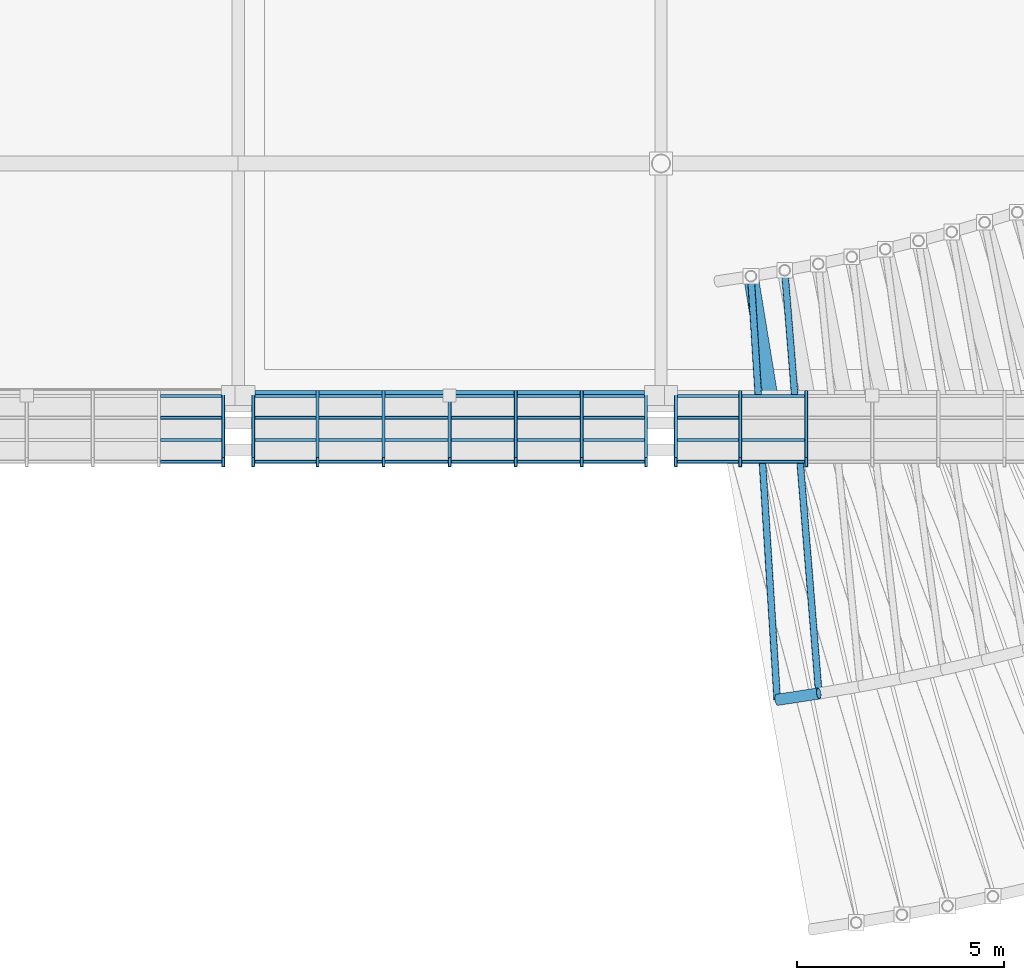
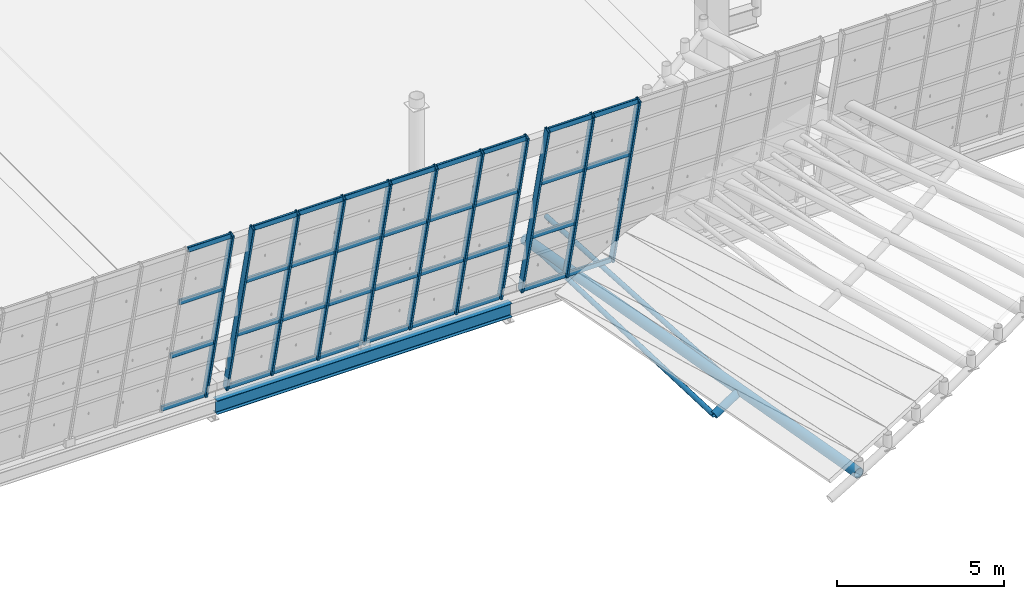
# One storey, part 48 of 157: 50 members, 1 beam, 3 elements without a shape of their own.
"""IFC4 building model written with IfcOpenShell, lengths in metres."""

from ifc_helpers import new_model, si_unit, direction, frame, origin, origin_2d, place, context, subcontext, project, spatial, hollow_rectangle, hollow_circle, i_section, extrude, material, material_profile, profile_set, type_object, element, aggregate, save


model = new_model("IFC4")

# Units and contexts
model_context = context("Model", 3, precision=1e-05, world=origin(), true_north=direction((0.0, 1.0)))
body_context = subcontext(model_context, "Body", "Model", "MODEL_VIEW")
ifc_project = project(units=[si_unit("LENGTHUNIT", "METRE"), si_unit("AREAUNIT", "SQUARE_METRE"), si_unit("VOLUMEUNIT", "CUBIC_METRE"), si_unit("PLANEANGLEUNIT", "RADIAN"), si_unit("MASSUNIT", "GRAM", prefix="KILO")], contexts=[model_context])

# Site, building, storey
site_placement = place(None, origin())
site = spatial("IfcSite", under=ifc_project, at=site_placement, CompositionType="ELEMENT")
building_placement = place(site_placement, origin())
building = spatial("IfcBuilding", under=site, at=building_placement, Name="Brelvane Convention Centre", CompositionType="ELEMENT")
storey_placement = place(building_placement, frame((0.0, 0.0, 10.800048828125)))
storey = spatial("IfcBuildingStorey", under=building, at=storey_placement, Name="L02", CompositionType="ELEMENT", Elevation=10.800048828125)

# Curtain wall, member
ifc_material_1 = material(Name="Anodised Aluminium Alloy 6063-T6", Category="aluminium")
curtain_wall_type = type_object("IfcCurtainWallType", Name="Curtain Wall CW-HULL-S", PredefinedType="USERDEFINED", material=ifc_material_1)
curtain_wall_1_placement = place(storey_placement, origin())
curtain_wall_1 = element("IfcCurtainWall", 1, at=curtain_wall_1_placement, inside=storey, type_object=curtain_wall_type, Name="Curtain Wall CW-HULL-S L02-HULL-S-L02-14", ObjectType="UNITISED", PredefinedType="USERDEFINED")
ifc_material_2 = material(Name="Anodised Aluminium Alloy 6063-T6", Category="aluminium")
ifc_material_profile_1 = material_profile(ifc_material_2, hollow_rectangle(XDim=0.080078125, YDim=0.239990234375, WallThickness=0.006103515625, InnerFilletRadius=0.006103515625, OuterFilletRadius=0.011962890625, at=origin_2d()), Name="ALU-M 240x80x6.0")
ifc_profile_set_1 = profile_set([ifc_material_profile_1], Name="Anodised Aluminium Alloy 6063-T6")
member_type_1 = type_object("IfcMemberType", Name="Curtain Mullion CW-M1", PredefinedType="MULLION", material=ifc_profile_set_1)
member_1_placement = place(storey_placement, frame((142.43994140625, 13.60009765625, 0.0), z_axis=(0.0, -0.228360410362, 0.973576665178), x_axis=(1.0, 0.0, 0.0)))
member_1 = element("IfcMember", 2, at=member_1_placement, type_object=member_type_1, Name="CW-HULL-S mullion 7", PredefinedType="MULLION", context=body_context, shape_type="SweptSolid", body=[
    extrude(hollow_rectangle(XDim=0.080078125, YDim=0.239990234375, WallThickness=0.006103515625, InnerFilletRadius=0.006103515625, OuterFilletRadius=0.011962890625, at=origin_2d()), origin(), (0.0, 0.0, 1.0), 7.03564453125),
])

# Curtain wall, members
curtain_wall_2_placement = place(storey_placement, origin())
curtain_wall_2 = element("IfcCurtainWall", 3, at=curtain_wall_2_placement, inside=storey, type_object=curtain_wall_type, Name="Curtain Wall CW-HULL-S L02-HULL-S-L02-15", ObjectType="UNITISED", PredefinedType="USERDEFINED")
member_2_placement = place(storey_placement, frame((143.159912109375, 13.60009765625, 0.0), z_axis=(0.0, -0.228360410362, 0.973576665178), x_axis=(1.0, 0.0, 0.0)))
member_2 = element("IfcMember", 4, at=member_2_placement, type_object=member_type_1, Name="CW-HULL-S mullion 1", PredefinedType="MULLION", context=body_context, shape_type="SweptSolid", body=[
    extrude(hollow_rectangle(XDim=0.080078125, YDim=0.239990234375, WallThickness=0.006103515625, InnerFilletRadius=0.006103515625, OuterFilletRadius=0.011962890625, at=origin_2d()), origin(), (0.0, 0.0, 1.0), 7.03564453125),
])
member_3_placement = place(storey_placement, frame((144.71337890625, 13.60009765625, 0.0), z_axis=(0.0, -0.228360410362, 0.973576665178), x_axis=(1.0, 0.0, 0.0)))
member_3 = element("IfcMember", 5, at=member_3_placement, type_object=member_type_1, Name="CW-HULL-S mullion 2", PredefinedType="MULLION", context=body_context, shape_type="SweptSolid", body=[
    extrude(hollow_rectangle(XDim=0.080078125, YDim=0.239990234375, WallThickness=0.006103515625, InnerFilletRadius=0.006103515625, OuterFilletRadius=0.011962890625, at=origin_2d()), origin(), (0.0, 0.0, 1.0), 7.03564453125),
])
member_4_placement = place(storey_placement, frame((146.306640625, 13.60009765625, 0.0), z_axis=(0.0, -0.228360410362, 0.973576665178), x_axis=(1.0, 0.0, 0.0)))
member_4 = element("IfcMember", 6, at=member_4_placement, type_object=member_type_1, Name="CW-HULL-S mullion 3", PredefinedType="MULLION", context=body_context, shape_type="SweptSolid", body=[
    extrude(hollow_rectangle(XDim=0.080078125, YDim=0.239990234375, WallThickness=0.006103515625, InnerFilletRadius=0.006103515625, OuterFilletRadius=0.011962890625, at=origin_2d()), origin(), (0.0, 0.0, 1.0), 7.03564453125),
])
member_5_placement = place(storey_placement, frame((147.89990234375, 13.60009765625, 0.0), z_axis=(0.0, -0.228360410362, 0.973576665178), x_axis=(1.0, 0.0, 0.0)))
member_5 = element("IfcMember", 7, at=member_5_placement, type_object=member_type_1, Name="CW-HULL-S mullion 4", PredefinedType="MULLION", context=body_context, shape_type="SweptSolid", body=[
    extrude(hollow_rectangle(XDim=0.080078125, YDim=0.239990234375, WallThickness=0.006103515625, InnerFilletRadius=0.006103515625, OuterFilletRadius=0.011962890625, at=origin_2d()), origin(), (0.0, 0.0, 1.0), 7.03564453125),
])
member_6_placement = place(storey_placement, frame((149.493408203125, 13.60009765625, 0.0), z_axis=(0.0, -0.228360410362, 0.973576665178), x_axis=(1.0, 0.0, 0.0)))
member_6 = element("IfcMember", 8, at=member_6_placement, type_object=member_type_1, Name="CW-HULL-S mullion 5", PredefinedType="MULLION", context=body_context, shape_type="SweptSolid", body=[
    extrude(hollow_rectangle(XDim=0.080078125, YDim=0.239990234375, WallThickness=0.006103515625, InnerFilletRadius=0.006103515625, OuterFilletRadius=0.011962890625, at=origin_2d()), origin(), (0.0, 0.0, 1.0), 7.03564453125),
])
member_7_placement = place(storey_placement, frame((151.086669921875, 13.60009765625, 0.0), z_axis=(0.0, -0.228360410362, 0.973576665178), x_axis=(1.0, 0.0, 0.0)))
member_7 = element("IfcMember", 9, at=member_7_placement, type_object=member_type_1, Name="CW-HULL-S mullion 6", PredefinedType="MULLION", context=body_context, shape_type="SweptSolid", body=[
    extrude(hollow_rectangle(XDim=0.080078125, YDim=0.239990234375, WallThickness=0.006103515625, InnerFilletRadius=0.006103515625, OuterFilletRadius=0.011962890625, at=origin_2d()), origin(), (0.0, 0.0, 1.0), 7.03564453125),
])
member_8_placement = place(storey_placement, frame((152.639892578125, 13.60009765625, 0.0), z_axis=(0.0, -0.228360410362, 0.973576665178), x_axis=(1.0, 0.0, 0.0)))
member_8 = element("IfcMember", 10, at=member_8_placement, type_object=member_type_1, Name="CW-HULL-S mullion 7", PredefinedType="MULLION", context=body_context, shape_type="SweptSolid", body=[
    extrude(hollow_rectangle(XDim=0.080078125, YDim=0.239990234375, WallThickness=0.006103515625, InnerFilletRadius=0.006103515625, OuterFilletRadius=0.011962890625, at=origin_2d()), origin(), (0.0, 0.0, 1.0), 7.03564453125),
])

curtain_wall_3_placement = place(storey_placement, origin())
curtain_wall_3 = element("IfcCurtainWall", 11, at=curtain_wall_3_placement, inside=storey, type_object=curtain_wall_type, Name="Curtain Wall CW-HULL-S L02-HULL-S-L02-16", ObjectType="UNITISED", PredefinedType="USERDEFINED")
member_9_placement = place(storey_placement, frame((153.360107421875, 13.60009765625, 0.0), z_axis=(0.0, -0.228360410362, 0.973576665178), x_axis=(1.0, 0.0, 0.0)))
member_9 = element("IfcMember", 12, at=member_9_placement, type_object=member_type_1, Name="CW-HULL-S mullion 1", PredefinedType="MULLION", context=body_context, shape_type="SweptSolid", body=[
    extrude(hollow_rectangle(XDim=0.080078125, YDim=0.239990234375, WallThickness=0.006103515625, InnerFilletRadius=0.006103515625, OuterFilletRadius=0.011962890625, at=origin_2d()), origin(), (0.0, 0.0, 1.0), 7.03564453125),
])
member_10_placement = place(storey_placement, frame((154.913330078125, 13.60009765625, 0.0), z_axis=(0.0, -0.228360410362, 0.973576665178), x_axis=(1.0, 0.0, 0.0)))
member_10 = element("IfcMember", 13, at=member_10_placement, type_object=member_type_1, Name="CW-HULL-S mullion 2", PredefinedType="MULLION", context=body_context, shape_type="SweptSolid", body=[
    extrude(hollow_rectangle(XDim=0.080078125, YDim=0.239990234375, WallThickness=0.006103515625, InnerFilletRadius=0.006103515625, OuterFilletRadius=0.011962890625, at=origin_2d()), origin(), (0.0, 0.0, 1.0), 7.03564453125),
])
member_11_placement = place(storey_placement, frame((156.506591796875, 13.60009765625, 0.0), z_axis=(0.0, -0.228360410362, 0.973576665178), x_axis=(1.0, 0.0, 0.0)))
member_11 = element("IfcMember", 14, at=member_11_placement, type_object=member_type_1, Name="CW-HULL-S mullion 3", PredefinedType="MULLION", context=body_context, shape_type="SweptSolid", body=[
    extrude(hollow_rectangle(XDim=0.080078125, YDim=0.239990234375, WallThickness=0.006103515625, InnerFilletRadius=0.006103515625, OuterFilletRadius=0.011962890625, at=origin_2d()), origin(), (0.0, 0.0, 1.0), 7.03564453125),
])

# Member
ifc_material_3 = material(Name="Anodised Aluminium Alloy 6063-T6", Category="aluminium")
ifc_material_profile_2 = material_profile(ifc_material_3, hollow_rectangle(XDim=0.080078125, YDim=0.179931640625, WallThickness=0.0048828125, InnerFilletRadius=0.0048828125, OuterFilletRadius=0.010009765625, at=origin_2d()), Name="ALU-T 180x80x5.0")
ifc_profile_set_2 = profile_set([ifc_material_profile_2], Name="Anodised Aluminium Alloy 6063-T6")
member_type_2 = type_object("IfcMemberType", Name="Curtain Transom CW-T1", PredefinedType="USERDEFINED", material=ifc_profile_set_2)
member_12_placement = place(storey_placement, frame((140.9267578125, 13.590576171875, 0.0400390625), z_axis=(1.0, 0.0, 0.0), x_axis=(0.0, 1.0, 0.0)))
member_12 = element("IfcMember", 15, at=member_12_placement, type_object=member_type_2, Name="CW-HULL-S transom 6.1", ObjectType="TRANSOM", PredefinedType="USERDEFINED", context=body_context, shape_type="SweptSolid", body=[
    extrude(hollow_rectangle(XDim=0.080078125, YDim=0.179931640625, WallThickness=0.0048828125, InnerFilletRadius=0.0048828125, OuterFilletRadius=0.010009765625, at=origin_2d()), origin(), (0.0, 0.0, 1.0), 1.47314453125),
])

member_13_placement = place(storey_placement, frame((140.9267578125, 13.064453125, 2.283203125), z_axis=(1.0, 0.0, 0.0), x_axis=(0.0, 1.0, 0.0)))
member_13 = element("IfcMember", 16, at=member_13_placement, type_object=member_type_2, Name="CW-HULL-S transom 6.2", ObjectType="TRANSOM", PredefinedType="USERDEFINED", context=body_context, shape_type="SweptSolid", body=[
    extrude(hollow_rectangle(XDim=0.080078125, YDim=0.179931640625, WallThickness=0.0048828125, InnerFilletRadius=0.0048828125, OuterFilletRadius=0.010009765625, at=origin_2d()), origin(), (0.0, 0.0, 1.0), 1.47314453125),
])

member_14_placement = place(storey_placement, frame((140.9267578125, 12.52880859375, 4.566650390625), z_axis=(1.0, 0.0, 0.0), x_axis=(0.0, 1.0, 0.0)))
member_14 = element("IfcMember", 17, at=member_14_placement, type_object=member_type_2, Name="CW-HULL-S transom 6.3", ObjectType="TRANSOM", PredefinedType="USERDEFINED", context=body_context, shape_type="SweptSolid", body=[
    extrude(hollow_rectangle(XDim=0.080078125, YDim=0.179931640625, WallThickness=0.0048828125, InnerFilletRadius=0.0048828125, OuterFilletRadius=0.010009765625, at=origin_2d()), origin(), (0.0, 0.0, 1.0), 1.47314453125),
])

member_15_placement = place(storey_placement, frame((140.9267578125, 12.002685546875, 6.81005859375), z_axis=(1.0, 0.0, 0.0), x_axis=(0.0, 1.0, 0.0)))
member_15 = element("IfcMember", 18, at=member_15_placement, type_object=member_type_2, Name="CW-HULL-S transom 6.4", ObjectType="TRANSOM", PredefinedType="USERDEFINED", context=body_context, shape_type="SweptSolid", body=[
    extrude(hollow_rectangle(XDim=0.080078125, YDim=0.179931640625, WallThickness=0.0048828125, InnerFilletRadius=0.0048828125, OuterFilletRadius=0.010009765625, at=origin_2d()), origin(), (0.0, 0.0, 1.0), 1.47314453125),
])

aggregate(curtain_wall_1, [member_1, member_12, member_13, member_14, member_15])

member_16_placement = place(storey_placement, frame((143.199951171875, 13.590576171875, 0.0400390625), z_axis=(1.0, 0.0, 0.0), x_axis=(0.0, 1.0, 0.0)))
member_16 = element("IfcMember", 19, at=member_16_placement, type_object=member_type_2, Name="CW-HULL-S transom 1.1", ObjectType="TRANSOM", PredefinedType="USERDEFINED", context=body_context, shape_type="SweptSolid", body=[
    extrude(hollow_rectangle(XDim=0.080078125, YDim=0.179931640625, WallThickness=0.0048828125, InnerFilletRadius=0.0048828125, OuterFilletRadius=0.010009765625, at=origin_2d()), origin(), (0.0, 0.0, 1.0), 1.473388671875),
])

member_17_placement = place(storey_placement, frame((143.199951171875, 13.064453125, 2.283203125), z_axis=(1.0, 0.0, 0.0), x_axis=(0.0, 1.0, 0.0)))
member_17 = element("IfcMember", 20, at=member_17_placement, type_object=member_type_2, Name="CW-HULL-S transom 1.2", ObjectType="TRANSOM", PredefinedType="USERDEFINED", context=body_context, shape_type="SweptSolid", body=[
    extrude(hollow_rectangle(XDim=0.080078125, YDim=0.179931640625, WallThickness=0.0048828125, InnerFilletRadius=0.0048828125, OuterFilletRadius=0.010009765625, at=origin_2d()), origin(), (0.0, 0.0, 1.0), 1.473388671875),
])

member_18_placement = place(storey_placement, frame((143.199951171875, 12.52880859375, 4.566650390625), z_axis=(1.0, 0.0, 0.0), x_axis=(0.0, 1.0, 0.0)))
member_18 = element("IfcMember", 21, at=member_18_placement, type_object=member_type_2, Name="CW-HULL-S transom 1.3", ObjectType="TRANSOM", PredefinedType="USERDEFINED", context=body_context, shape_type="SweptSolid", body=[
    extrude(hollow_rectangle(XDim=0.080078125, YDim=0.179931640625, WallThickness=0.0048828125, InnerFilletRadius=0.0048828125, OuterFilletRadius=0.010009765625, at=origin_2d()), origin(), (0.0, 0.0, 1.0), 1.473388671875),
])

member_19_placement = place(storey_placement, frame((143.199951171875, 12.002685546875, 6.81005859375), z_axis=(1.0, 0.0, 0.0), x_axis=(0.0, 1.0, 0.0)))
member_19 = element("IfcMember", 22, at=member_19_placement, type_object=member_type_2, Name="CW-HULL-S transom 1.4", ObjectType="TRANSOM", PredefinedType="USERDEFINED", context=body_context, shape_type="SweptSolid", body=[
    extrude(hollow_rectangle(XDim=0.080078125, YDim=0.179931640625, WallThickness=0.0048828125, InnerFilletRadius=0.0048828125, OuterFilletRadius=0.010009765625, at=origin_2d()), origin(), (0.0, 0.0, 1.0), 1.473388671875),
])

member_20_placement = place(storey_placement, frame((144.75341796875, 13.590576171875, 0.0400390625), z_axis=(1.0, 0.0, 0.0), x_axis=(0.0, 1.0, 0.0)))
member_20 = element("IfcMember", 23, at=member_20_placement, type_object=member_type_2, Name="CW-HULL-S transom 2.1", ObjectType="TRANSOM", PredefinedType="USERDEFINED", context=body_context, shape_type="SweptSolid", body=[
    extrude(hollow_rectangle(XDim=0.080078125, YDim=0.179931640625, WallThickness=0.0048828125, InnerFilletRadius=0.0048828125, OuterFilletRadius=0.010009765625, at=origin_2d()), origin(), (0.0, 0.0, 1.0), 1.51318359375),
])

member_21_placement = place(storey_placement, frame((144.75341796875, 13.064453125, 2.283203125), z_axis=(1.0, 0.0, 0.0), x_axis=(0.0, 1.0, 0.0)))
member_21 = element("IfcMember", 24, at=member_21_placement, type_object=member_type_2, Name="CW-HULL-S transom 2.2", ObjectType="TRANSOM", PredefinedType="USERDEFINED", context=body_context, shape_type="SweptSolid", body=[
    extrude(hollow_rectangle(XDim=0.080078125, YDim=0.179931640625, WallThickness=0.0048828125, InnerFilletRadius=0.0048828125, OuterFilletRadius=0.010009765625, at=origin_2d()), origin(), (0.0, 0.0, 1.0), 1.51318359375),
])

member_22_placement = place(storey_placement, frame((144.75341796875, 12.52880859375, 4.566650390625), z_axis=(1.0, 0.0, 0.0), x_axis=(0.0, 1.0, 0.0)))
member_22 = element("IfcMember", 25, at=member_22_placement, type_object=member_type_2, Name="CW-HULL-S transom 2.3", ObjectType="TRANSOM", PredefinedType="USERDEFINED", context=body_context, shape_type="SweptSolid", body=[
    extrude(hollow_rectangle(XDim=0.080078125, YDim=0.179931640625, WallThickness=0.0048828125, InnerFilletRadius=0.0048828125, OuterFilletRadius=0.010009765625, at=origin_2d()), origin(), (0.0, 0.0, 1.0), 1.51318359375),
])

member_23_placement = place(storey_placement, frame((144.75341796875, 12.002685546875, 6.81005859375), z_axis=(1.0, 0.0, 0.0), x_axis=(0.0, 1.0, 0.0)))
member_23 = element("IfcMember", 26, at=member_23_placement, type_object=member_type_2, Name="CW-HULL-S transom 2.4", ObjectType="TRANSOM", PredefinedType="USERDEFINED", context=body_context, shape_type="SweptSolid", body=[
    extrude(hollow_rectangle(XDim=0.080078125, YDim=0.179931640625, WallThickness=0.0048828125, InnerFilletRadius=0.0048828125, OuterFilletRadius=0.010009765625, at=origin_2d()), origin(), (0.0, 0.0, 1.0), 1.51318359375),
])

member_24_placement = place(storey_placement, frame((146.3466796875, 13.590576171875, 0.0400390625), z_axis=(1.0, 0.0, 0.0), x_axis=(0.0, 1.0, 0.0)))
member_24 = element("IfcMember", 27, at=member_24_placement, type_object=member_type_2, Name="CW-HULL-S transom 3.1", ObjectType="TRANSOM", PredefinedType="USERDEFINED", context=body_context, shape_type="SweptSolid", body=[
    extrude(hollow_rectangle(XDim=0.080078125, YDim=0.179931640625, WallThickness=0.0048828125, InnerFilletRadius=0.0048828125, OuterFilletRadius=0.010009765625, at=origin_2d()), origin(), (0.0, 0.0, 1.0), 1.513427734375),
])

member_25_placement = place(storey_placement, frame((146.3466796875, 13.064453125, 2.283203125), z_axis=(1.0, 0.0, 0.0), x_axis=(0.0, 1.0, 0.0)))
member_25 = element("IfcMember", 28, at=member_25_placement, type_object=member_type_2, Name="CW-HULL-S transom 3.2", ObjectType="TRANSOM", PredefinedType="USERDEFINED", context=body_context, shape_type="SweptSolid", body=[
    extrude(hollow_rectangle(XDim=0.080078125, YDim=0.179931640625, WallThickness=0.0048828125, InnerFilletRadius=0.0048828125, OuterFilletRadius=0.010009765625, at=origin_2d()), origin(), (0.0, 0.0, 1.0), 1.513427734375),
])

member_26_placement = place(storey_placement, frame((146.3466796875, 12.52880859375, 4.566650390625), z_axis=(1.0, 0.0, 0.0), x_axis=(0.0, 1.0, 0.0)))
member_26 = element("IfcMember", 29, at=member_26_placement, type_object=member_type_2, Name="CW-HULL-S transom 3.3", ObjectType="TRANSOM", PredefinedType="USERDEFINED", context=body_context, shape_type="SweptSolid", body=[
    extrude(hollow_rectangle(XDim=0.080078125, YDim=0.179931640625, WallThickness=0.0048828125, InnerFilletRadius=0.0048828125, OuterFilletRadius=0.010009765625, at=origin_2d()), origin(), (0.0, 0.0, 1.0), 1.513427734375),
])

member_27_placement = place(storey_placement, frame((146.3466796875, 12.002685546875, 6.81005859375), z_axis=(1.0, 0.0, 0.0), x_axis=(0.0, 1.0, 0.0)))
member_27 = element("IfcMember", 30, at=member_27_placement, type_object=member_type_2, Name="CW-HULL-S transom 3.4", ObjectType="TRANSOM", PredefinedType="USERDEFINED", context=body_context, shape_type="SweptSolid", body=[
    extrude(hollow_rectangle(XDim=0.080078125, YDim=0.179931640625, WallThickness=0.0048828125, InnerFilletRadius=0.0048828125, OuterFilletRadius=0.010009765625, at=origin_2d()), origin(), (0.0, 0.0, 1.0), 1.513427734375),
])

member_28_placement = place(storey_placement, frame((147.93994140625, 13.590576171875, 0.0400390625), z_axis=(1.0, 0.0, 0.0), x_axis=(0.0, 1.0, 0.0)))
member_28 = element("IfcMember", 31, at=member_28_placement, type_object=member_type_2, Name="CW-HULL-S transom 4.1", ObjectType="TRANSOM", PredefinedType="USERDEFINED", context=body_context, shape_type="SweptSolid", body=[
    extrude(hollow_rectangle(XDim=0.080078125, YDim=0.179931640625, WallThickness=0.0048828125, InnerFilletRadius=0.0048828125, OuterFilletRadius=0.010009765625, at=origin_2d()), origin(), (0.0, 0.0, 1.0), 1.513427734375),
])

member_29_placement = place(storey_placement, frame((147.93994140625, 13.064453125, 2.283203125), z_axis=(1.0, 0.0, 0.0), x_axis=(0.0, 1.0, 0.0)))
member_29 = element("IfcMember", 32, at=member_29_placement, type_object=member_type_2, Name="CW-HULL-S transom 4.2", ObjectType="TRANSOM", PredefinedType="USERDEFINED", context=body_context, shape_type="SweptSolid", body=[
    extrude(hollow_rectangle(XDim=0.080078125, YDim=0.179931640625, WallThickness=0.0048828125, InnerFilletRadius=0.0048828125, OuterFilletRadius=0.010009765625, at=origin_2d()), origin(), (0.0, 0.0, 1.0), 1.513427734375),
])

member_30_placement = place(storey_placement, frame((147.93994140625, 12.52880859375, 4.566650390625), z_axis=(1.0, 0.0, 0.0), x_axis=(0.0, 1.0, 0.0)))
member_30 = element("IfcMember", 33, at=member_30_placement, type_object=member_type_2, Name="CW-HULL-S transom 4.3", ObjectType="TRANSOM", PredefinedType="USERDEFINED", context=body_context, shape_type="SweptSolid", body=[
    extrude(hollow_rectangle(XDim=0.080078125, YDim=0.179931640625, WallThickness=0.0048828125, InnerFilletRadius=0.0048828125, OuterFilletRadius=0.010009765625, at=origin_2d()), origin(), (0.0, 0.0, 1.0), 1.513427734375),
])

member_31_placement = place(storey_placement, frame((147.93994140625, 12.002685546875, 6.81005859375), z_axis=(1.0, 0.0, 0.0), x_axis=(0.0, 1.0, 0.0)))
member_31 = element("IfcMember", 34, at=member_31_placement, type_object=member_type_2, Name="CW-HULL-S transom 4.4", ObjectType="TRANSOM", PredefinedType="USERDEFINED", context=body_context, shape_type="SweptSolid", body=[
    extrude(hollow_rectangle(XDim=0.080078125, YDim=0.179931640625, WallThickness=0.0048828125, InnerFilletRadius=0.0048828125, OuterFilletRadius=0.010009765625, at=origin_2d()), origin(), (0.0, 0.0, 1.0), 1.513427734375),
])

member_32_placement = place(storey_placement, frame((149.533447265625, 13.590576171875, 0.0400390625), z_axis=(1.0, 0.0, 0.0), x_axis=(0.0, 1.0, 0.0)))
member_32 = element("IfcMember", 35, at=member_32_placement, type_object=member_type_2, Name="CW-HULL-S transom 5.1", ObjectType="TRANSOM", PredefinedType="USERDEFINED", context=body_context, shape_type="SweptSolid", body=[
    extrude(hollow_rectangle(XDim=0.080078125, YDim=0.179931640625, WallThickness=0.0048828125, InnerFilletRadius=0.0048828125, OuterFilletRadius=0.010009765625, at=origin_2d()), origin(), (0.0, 0.0, 1.0), 1.51318359375),
])

member_33_placement = place(storey_placement, frame((149.533447265625, 13.064453125, 2.283203125), z_axis=(1.0, 0.0, 0.0), x_axis=(0.0, 1.0, 0.0)))
member_33 = element("IfcMember", 36, at=member_33_placement, type_object=member_type_2, Name="CW-HULL-S transom 5.2", ObjectType="TRANSOM", PredefinedType="USERDEFINED", context=body_context, shape_type="SweptSolid", body=[
    extrude(hollow_rectangle(XDim=0.080078125, YDim=0.179931640625, WallThickness=0.0048828125, InnerFilletRadius=0.0048828125, OuterFilletRadius=0.010009765625, at=origin_2d()), origin(), (0.0, 0.0, 1.0), 1.51318359375),
])

member_34_placement = place(storey_placement, frame((149.533447265625, 12.52880859375, 4.566650390625), z_axis=(1.0, 0.0, 0.0), x_axis=(0.0, 1.0, 0.0)))
member_34 = element("IfcMember", 37, at=member_34_placement, type_object=member_type_2, Name="CW-HULL-S transom 5.3", ObjectType="TRANSOM", PredefinedType="USERDEFINED", context=body_context, shape_type="SweptSolid", body=[
    extrude(hollow_rectangle(XDim=0.080078125, YDim=0.179931640625, WallThickness=0.0048828125, InnerFilletRadius=0.0048828125, OuterFilletRadius=0.010009765625, at=origin_2d()), origin(), (0.0, 0.0, 1.0), 1.51318359375),
])

member_35_placement = place(storey_placement, frame((149.533447265625, 12.002685546875, 6.81005859375), z_axis=(1.0, 0.0, 0.0), x_axis=(0.0, 1.0, 0.0)))
member_35 = element("IfcMember", 38, at=member_35_placement, type_object=member_type_2, Name="CW-HULL-S transom 5.4", ObjectType="TRANSOM", PredefinedType="USERDEFINED", context=body_context, shape_type="SweptSolid", body=[
    extrude(hollow_rectangle(XDim=0.080078125, YDim=0.179931640625, WallThickness=0.0048828125, InnerFilletRadius=0.0048828125, OuterFilletRadius=0.010009765625, at=origin_2d()), origin(), (0.0, 0.0, 1.0), 1.51318359375),
])

member_36_placement = place(storey_placement, frame((151.126708984375, 13.590576171875, 0.0400390625), z_axis=(1.0, 0.0, 0.0), x_axis=(0.0, 1.0, 0.0)))
member_36 = element("IfcMember", 39, at=member_36_placement, type_object=member_type_2, Name="CW-HULL-S transom 6.1", ObjectType="TRANSOM", PredefinedType="USERDEFINED", context=body_context, shape_type="SweptSolid", body=[
    extrude(hollow_rectangle(XDim=0.080078125, YDim=0.179931640625, WallThickness=0.0048828125, InnerFilletRadius=0.0048828125, OuterFilletRadius=0.010009765625, at=origin_2d()), origin(), (0.0, 0.0, 1.0), 1.473388671875),
])

member_37_placement = place(storey_placement, frame((151.126708984375, 13.064453125, 2.283203125), z_axis=(1.0, 0.0, 0.0), x_axis=(0.0, 1.0, 0.0)))
member_37 = element("IfcMember", 40, at=member_37_placement, type_object=member_type_2, Name="CW-HULL-S transom 6.2", ObjectType="TRANSOM", PredefinedType="USERDEFINED", context=body_context, shape_type="SweptSolid", body=[
    extrude(hollow_rectangle(XDim=0.080078125, YDim=0.179931640625, WallThickness=0.0048828125, InnerFilletRadius=0.0048828125, OuterFilletRadius=0.010009765625, at=origin_2d()), origin(), (0.0, 0.0, 1.0), 1.473388671875),
])

member_38_placement = place(storey_placement, frame((151.126708984375, 12.52880859375, 4.566650390625), z_axis=(1.0, 0.0, 0.0), x_axis=(0.0, 1.0, 0.0)))
member_38 = element("IfcMember", 41, at=member_38_placement, type_object=member_type_2, Name="CW-HULL-S transom 6.3", ObjectType="TRANSOM", PredefinedType="USERDEFINED", context=body_context, shape_type="SweptSolid", body=[
    extrude(hollow_rectangle(XDim=0.080078125, YDim=0.179931640625, WallThickness=0.0048828125, InnerFilletRadius=0.0048828125, OuterFilletRadius=0.010009765625, at=origin_2d()), origin(), (0.0, 0.0, 1.0), 1.473388671875),
])

member_39_placement = place(storey_placement, frame((151.126708984375, 12.002685546875, 6.81005859375), z_axis=(1.0, 0.0, 0.0), x_axis=(0.0, 1.0, 0.0)))
member_39 = element("IfcMember", 42, at=member_39_placement, type_object=member_type_2, Name="CW-HULL-S transom 6.4", ObjectType="TRANSOM", PredefinedType="USERDEFINED", context=body_context, shape_type="SweptSolid", body=[
    extrude(hollow_rectangle(XDim=0.080078125, YDim=0.179931640625, WallThickness=0.0048828125, InnerFilletRadius=0.0048828125, OuterFilletRadius=0.010009765625, at=origin_2d()), origin(), (0.0, 0.0, 1.0), 1.473388671875),
])

aggregate(curtain_wall_2, [member_2, member_3, member_4, member_5, member_6, member_7, member_8, member_16, member_17, member_18, member_19, member_20, member_21, member_22, member_23, member_24, member_25, member_26, member_27, member_28, member_29, member_30, member_31, member_32, member_33, member_34, member_35, member_36, member_37, member_38, member_39])

member_40_placement = place(storey_placement, frame((153.39990234375, 13.590576171875, 0.0400390625), z_axis=(1.0, 0.0, 0.0), x_axis=(0.0, 1.0, 0.0)))
member_40 = element("IfcMember", 43, at=member_40_placement, type_object=member_type_2, Name="CW-HULL-S transom 1.1", ObjectType="TRANSOM", PredefinedType="USERDEFINED", context=body_context, shape_type="SweptSolid", body=[
    extrude(hollow_rectangle(XDim=0.080078125, YDim=0.179931640625, WallThickness=0.0048828125, InnerFilletRadius=0.0048828125, OuterFilletRadius=0.010009765625, at=origin_2d()), origin(), (0.0, 0.0, 1.0), 1.473388671875),
])

member_41_placement = place(storey_placement, frame((153.39990234375, 13.064453125, 2.283203125), z_axis=(1.0, 0.0, 0.0), x_axis=(0.0, 1.0, 0.0)))
member_41 = element("IfcMember", 44, at=member_41_placement, type_object=member_type_2, Name="CW-HULL-S transom 1.2", ObjectType="TRANSOM", PredefinedType="USERDEFINED", context=body_context, shape_type="SweptSolid", body=[
    extrude(hollow_rectangle(XDim=0.080078125, YDim=0.179931640625, WallThickness=0.0048828125, InnerFilletRadius=0.0048828125, OuterFilletRadius=0.010009765625, at=origin_2d()), origin(), (0.0, 0.0, 1.0), 1.473388671875),
])

member_42_placement = place(storey_placement, frame((153.39990234375, 12.52880859375, 4.566650390625), z_axis=(1.0, 0.0, 0.0), x_axis=(0.0, 1.0, 0.0)))
member_42 = element("IfcMember", 45, at=member_42_placement, type_object=member_type_2, Name="CW-HULL-S transom 1.3", ObjectType="TRANSOM", PredefinedType="USERDEFINED", context=body_context, shape_type="SweptSolid", body=[
    extrude(hollow_rectangle(XDim=0.080078125, YDim=0.179931640625, WallThickness=0.0048828125, InnerFilletRadius=0.0048828125, OuterFilletRadius=0.010009765625, at=origin_2d()), origin(), (0.0, 0.0, 1.0), 1.473388671875),
])

member_43_placement = place(storey_placement, frame((153.39990234375, 12.002685546875, 6.81005859375), z_axis=(1.0, 0.0, 0.0), x_axis=(0.0, 1.0, 0.0)))
member_43 = element("IfcMember", 46, at=member_43_placement, type_object=member_type_2, Name="CW-HULL-S transom 1.4", ObjectType="TRANSOM", PredefinedType="USERDEFINED", context=body_context, shape_type="SweptSolid", body=[
    extrude(hollow_rectangle(XDim=0.080078125, YDim=0.179931640625, WallThickness=0.0048828125, InnerFilletRadius=0.0048828125, OuterFilletRadius=0.010009765625, at=origin_2d()), origin(), (0.0, 0.0, 1.0), 1.473388671875),
])

member_44_placement = place(storey_placement, frame((154.953369140625, 13.590576171875, 0.0400390625), z_axis=(1.0, 0.0, 0.0), x_axis=(0.0, 1.0, 0.0)))
member_44 = element("IfcMember", 47, at=member_44_placement, type_object=member_type_2, Name="CW-HULL-S transom 2.1", ObjectType="TRANSOM", PredefinedType="USERDEFINED", context=body_context, shape_type="SweptSolid", body=[
    extrude(hollow_rectangle(XDim=0.080078125, YDim=0.179931640625, WallThickness=0.0048828125, InnerFilletRadius=0.0048828125, OuterFilletRadius=0.010009765625, at=origin_2d()), origin(), (0.0, 0.0, 1.0), 1.51318359375),
])

member_45_placement = place(storey_placement, frame((154.953369140625, 12.52880859375, 4.566650390625), z_axis=(1.0, 0.0, 0.0), x_axis=(0.0, 1.0, 0.0)))
member_45 = element("IfcMember", 48, at=member_45_placement, type_object=member_type_2, Name="CW-HULL-S transom 2.3", ObjectType="TRANSOM", PredefinedType="USERDEFINED", context=body_context, shape_type="SweptSolid", body=[
    extrude(hollow_rectangle(XDim=0.080078125, YDim=0.179931640625, WallThickness=0.0048828125, InnerFilletRadius=0.0048828125, OuterFilletRadius=0.010009765625, at=origin_2d()), origin(), (0.0, 0.0, 1.0), 1.51318359375),
])

member_46_placement = place(storey_placement, frame((154.953369140625, 12.002685546875, 6.81005859375), z_axis=(1.0, 0.0, 0.0), x_axis=(0.0, 1.0, 0.0)))
member_46 = element("IfcMember", 49, at=member_46_placement, type_object=member_type_2, Name="CW-HULL-S transom 2.4", ObjectType="TRANSOM", PredefinedType="USERDEFINED", context=body_context, shape_type="SweptSolid", body=[
    extrude(hollow_rectangle(XDim=0.080078125, YDim=0.179931640625, WallThickness=0.0048828125, InnerFilletRadius=0.0048828125, OuterFilletRadius=0.010009765625, at=origin_2d()), origin(), (0.0, 0.0, 1.0), 1.51318359375),
])

aggregate(curtain_wall_3, [member_9, member_10, member_11, member_40, member_41, member_42, member_43, member_44, member_45, member_46])

# Members
ifc_material_4 = material(Name="Steel E350 (350 MPa)", Category="steel")
ifc_material_profile_3 = material_profile(ifc_material_4, hollow_circle(Radius=0.084228515625, WallThickness=0.008056640625, at=origin_2d()), Name="CHS 168.3x8.0")
ifc_profile_set_3 = profile_set([ifc_material_profile_3], Name="Steel E350 (350 MPa)")
member_type_3 = type_object("IfcMemberType", Name="Steel Brace SF-DG3 (CHS 168.3x8.0)", PredefinedType="BRACE", material=ifc_profile_set_3)
member_47_placement = place(storey_placement, frame((155.984130859375, 16.62060546875, -0.037353515625), z_axis=(0.080423328114, -0.995753685249, -0.044796055725), x_axis=(0.996754274195, 0.080504141968, 0.0)))
element("IfcMember", 50, at=member_47_placement, inside=storey, type_object=member_type_3, Name="Boulevard Canopy Space-Frame Brace 11", PredefinedType="BRACE", context=body_context, shape_type="SweptSolid", body=[
    extrude(hollow_circle(Radius=0.084228515625, WallThickness=0.008056640625, at=origin_2d()), origin(), (0.0, 0.0, 1.0), 10.25146484375),
])
member_48_placement = place(storey_placement, frame((155.169189453125, 16.47998046875, -0.49658203125), z_axis=(0.061942252029, -0.997053543135, -0.045248088756), x_axis=(0.998075791604, 0.062005759523, 0.0)))
element("IfcMember", 51, at=member_48_placement, inside=storey, type_object=member_type_3, Name="Boulevard Canopy Space-Frame Brace 12", PredefinedType="BRACE", context=body_context, shape_type="SweptSolid", body=[
    extrude(hollow_circle(Radius=0.084228515625, WallThickness=0.008056640625, at=origin_2d()), origin(), (0.0, 0.0, 1.0), 10.251708984375),
])
ifc_material_5 = material(Name="Steel E450 (450 MPa)", Category="steel")
ifc_material_profile_4 = material_profile(ifc_material_5, hollow_circle(Radius=0.136474609375, WallThickness=0.012451171875, at=origin_2d()), Name="CHS 273.0x12.5")
ifc_profile_set_4 = profile_set([ifc_material_profile_4], Name="Steel E450 (450 MPa)")
member_type_4 = type_object("IfcMemberType", Name="Steel Chord CN-CH1 (CHS 273.0x12.5)", PredefinedType="CHORD", material=ifc_profile_set_4)
member_49_placement = place(storey_placement, frame((156.80859375, 6.41259765625, -0.49658203125), z_axis=(-0.899180586906, -0.137915155648, -0.415275429052), x_axis=(0.151605807704, -0.988441034696, 0.0)))
element("IfcMember", 52, at=member_49_placement, inside=storey, type_object=member_type_4, Name="Boulevard Canopy Arc Chord COL-12", PredefinedType="CHORD", context=body_context, shape_type="SweptSolid", body=[
    extrude(hollow_circle(Radius=0.136474609375, WallThickness=0.012451171875, at=origin_2d()), origin(), (0.0, 0.0, 1.0), 1.116943359375),
])
ifc_material_6 = material(Name="Steel E450 (450 MPa)", Category="steel")
ifc_material_profile_5 = material_profile(ifc_material_6, hollow_circle(Radius=0.177734375, WallThickness=0.01611328125, at=origin_2d()), Name="CHS 355.6x16.0")
ifc_profile_set_5 = profile_set([ifc_material_profile_5], Name="Steel E450 (450 MPa)")
member_type_5 = type_object("IfcMemberType", Name="Steel Rafter CN-RF1 (CHS 355.6x16.0)", PredefinedType="RAFTER", material=ifc_profile_set_5)
member_50_placement = place(storey_placement, frame((155.169189453125, 16.47998046875, -0.49658203125), z_axis=(0.160747016217, -0.986995641722, 0.0), x_axis=(0.986995641722, 0.160747016217, 0.0)))
element("IfcMember", 53, at=member_50_placement, inside=storey, type_object=member_type_5, Name="Boulevard Canopy Radial Rafter R-12", PredefinedType="RAFTER", context=body_context, shape_type="SweptSolid", body=[
    extrude(hollow_circle(Radius=0.177734375, WallThickness=0.01611328125, at=origin_2d()), origin(), (0.0, 0.0, 1.0), 15.800048828125),
])

# Beam
ifc_material_7 = material(Name="Steel E350 (350 MPa)", Category="steel")
ifc_material_profile_6 = material_profile(ifc_material_7, i_section(OverallWidth=0.25, OverallDepth=0.5, WebThickness=0.010009765625, FlangeThickness=0.0146484375, FilletRadius=0.01611328125, at=origin_2d()), Name="ISWB 500")
ifc_profile_set_6 = profile_set([ifc_material_profile_6], Name="Steel E350 (350 MPa)")
beam_type = type_object("IfcBeamType", Name="Steel Spandrel SP-ST1 (ISWB 500)", PredefinedType="SPANDREL", material=ifc_profile_set_6)
beam_placement = place(storey_placement, frame((142.800048828125, 13.60009765625, -0.530029296875), z_axis=(1.0, 0.0, 0.0), x_axis=(0.0, 1.0, 0.0)))
element("IfcBeam", 54, at=beam_placement, inside=storey, type_object=beam_type, Name="L02 Hull Overhang Edge Spandrel 15", PredefinedType="SPANDREL", context=body_context, shape_type="SweptSolid", body=[
    extrude(i_section(OverallWidth=0.25, OverallDepth=0.5, WebThickness=0.010009765625, FlangeThickness=0.0146484375, FilletRadius=0.01611328125, at=origin_2d()), origin(), (0.0, 0.0, 1.0), 10.199951171875),
])

save(model, "model.ifc")
